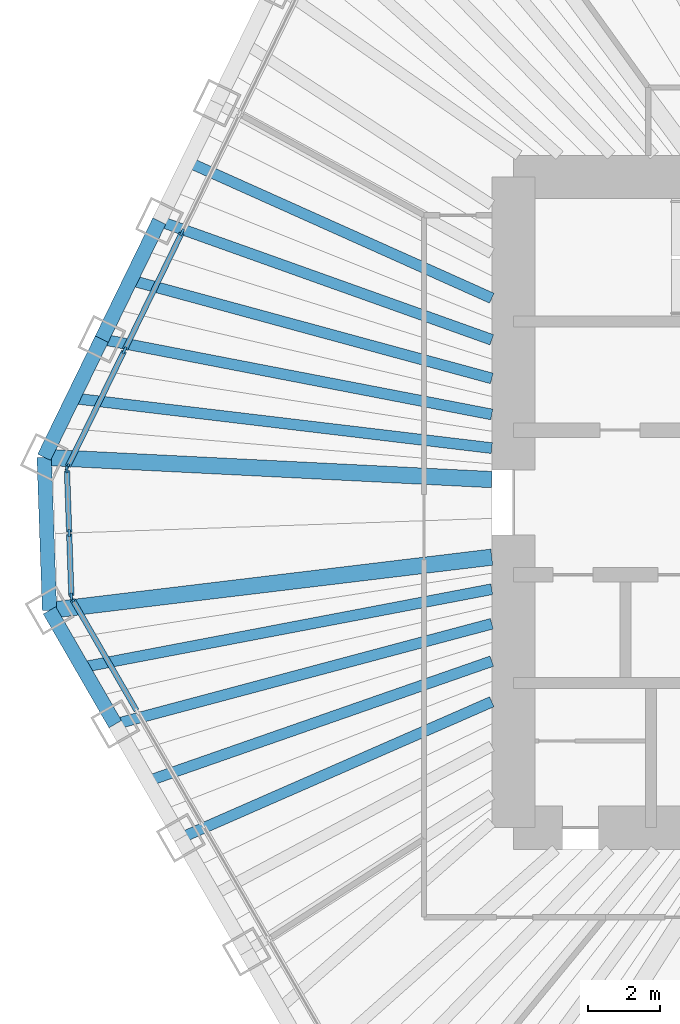
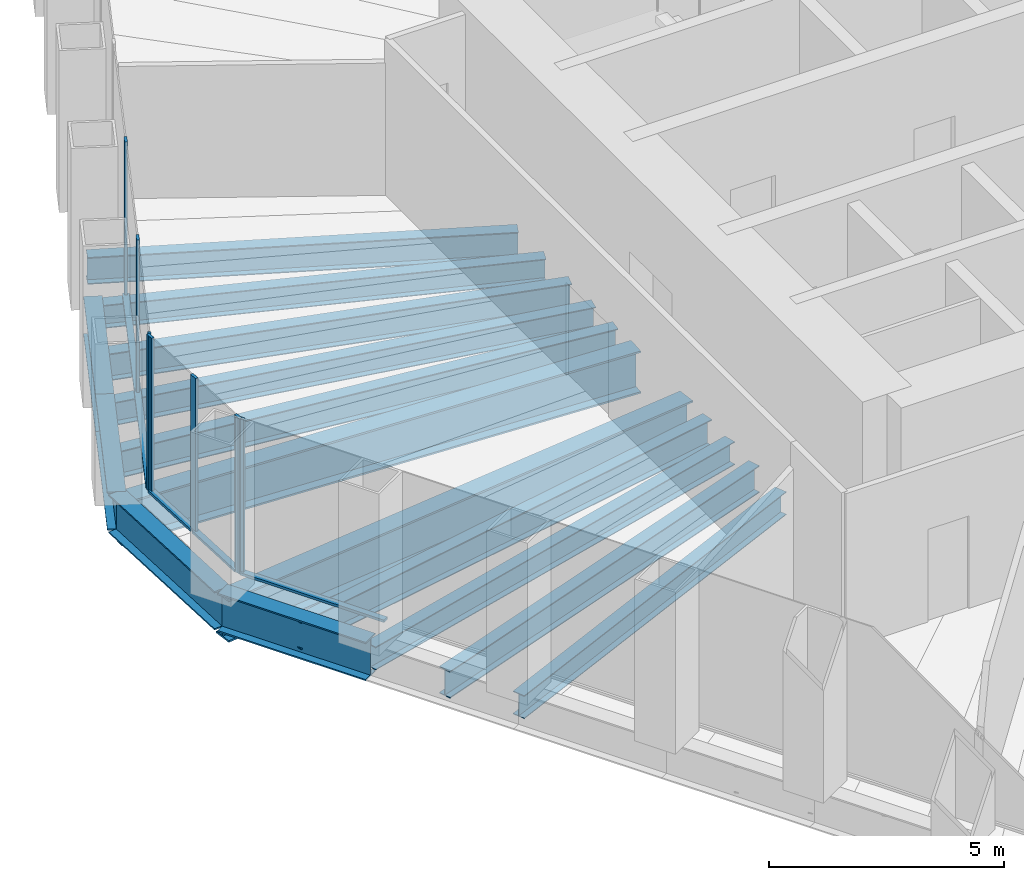
# One storey, part 3 of 13: 15 beams, 12 members, 3 elements without a shape of their own.
"""IFC4 building model written with IfcOpenShell, lengths in metres."""

from ifc_helpers import new_model, si_unit, direction, frame, origin, origin_2d, place, context, subcontext, project, spatial, rectangle, i_section, extrude, material, material_profile, profile_set, type_object, element, aggregate, save


model = new_model("IFC4")

# Units and contexts
model_context = context("Model", 3, precision=1e-05, world=origin(), true_north=direction((0.0, 1.0)))
body_context = subcontext(model_context, "Body", "Model", "MODEL_VIEW")
ifc_project = project(units=[si_unit("LENGTHUNIT", "METRE"), si_unit("AREAUNIT", "SQUARE_METRE"), si_unit("VOLUMEUNIT", "CUBIC_METRE"), si_unit("PLANEANGLEUNIT", "RADIAN"), si_unit("MASSUNIT", "GRAM", prefix="KILO")], contexts=[model_context])

# Site, building, storey
site_placement = place(None, origin())
site = spatial("IfcSite", under=ifc_project, at=site_placement, CompositionType="ELEMENT")
building_placement = place(site_placement, origin())
building = spatial("IfcBuilding", under=site, at=building_placement, Name="Qingtian Harvest Tower", CompositionType="ELEMENT")
storey_placement = place(building_placement, frame((0.0, 0.0, 222.39990234375)))
storey = spatial("IfcBuildingStorey", under=building, at=storey_placement, Name="L48", CompositionType="ELEMENT", Elevation=222.39990234375)

# Beams
ifc_material_1 = material(Name="Steel SM570MC", Category="steel")
ifc_material_profile_1 = material_profile(ifc_material_1, i_section(OverallWidth=0.449951171875, OverallDepth=1.10009765625, WebThickness=0.02197265625, FlangeThickness=0.044921875, at=origin_2d()), Name="H1100x450x22x45")
ifc_profile_set_1 = profile_set([ifc_material_profile_1], Name="Steel SM570MC")
beam_type_1 = type_object("IfcBeamType", Name="Corner floor beam FB8 H1100x450x22x45", PredefinedType="BEAM", material=ifc_profile_set_1)
beam_1_placement = place(storey_placement, frame((-24.833251953125, -2.987548828125, -0.719970703125), z_axis=(0.992841259631, 0.119441337798, 0.0), x_axis=(-0.119441337798, 0.992841259631, 0.0)))
element("IfcBeam", 1, at=beam_1_placement, inside=storey, type_object=beam_type_1, Name="Floor beam FB8 SW6", PredefinedType="BEAM", context=body_context, shape_type="SweptSolid", body=[
    extrude(i_section(OverallWidth=0.449951171875, OverallDepth=1.10009765625, WebThickness=0.02197265625, FlangeThickness=0.044921875, at=origin_2d()), origin(), (0.0, 0.0, 1.0), 12.3212890625),
])
beam_2_placement = place(storey_placement, frame((-24.981201171875, 1.248046875, -0.719970703125), z_axis=(0.998753959075, -0.049905202459, 0.0), x_axis=(0.049905202459, 0.998753959075, 0.0)))
element("IfcBeam", 2, at=beam_2_placement, inside=storey, type_object=beam_type_1, Name="Floor beam FB8 NW0", PredefinedType="BEAM", context=body_context, shape_type="SweptSolid", body=[
    extrude(i_section(OverallWidth=0.449951171875, OverallDepth=1.10009765625, WebThickness=0.02197265625, FlangeThickness=0.044921875, at=origin_2d()), origin(), (0.0, 0.0, 1.0), 12.396484375),
])
ifc_material_2 = material(Name="Steel SN490B", Category="steel")
ifc_material_profile_2 = material_profile(ifc_material_2, i_section(OverallWidth=0.300048828125, OverallDepth=0.60009765625, WebThickness=0.011962890625, FlangeThickness=0.02001953125, at=origin_2d()), Name="H600x300x12x20")
ifc_profile_set_2 = profile_set([ifc_material_profile_2], Name="Steel SN490B")
beam_type_2 = type_object("IfcBeamType", Name="Floor beam FB3 H600x300x12x20", PredefinedType="BEAM", material=ifc_profile_set_2)
beam_3_placement = place(storey_placement, frame((-21.19970703125, -9.281005859375, -0.469970703125), z_axis=(0.916057031544, 0.401048020765, 0.0), x_axis=(-0.401048020765, 0.916057031544, 0.0)))
element("IfcBeam", 3, at=beam_3_placement, inside=storey, type_object=beam_type_2, Name="Floor beam FB3 SW4", PredefinedType="BEAM", context=body_context, shape_type="SweptSolid", body=[
    extrude(i_section(OverallWidth=0.300048828125, OverallDepth=0.60009765625, WebThickness=0.011962890625, FlangeThickness=0.02001953125, at=origin_2d()), origin(), (0.0, 0.0, 1.0), 9.3876953125),
])
beam_4_placement = place(storey_placement, frame((-23.016357421875, -6.13427734375, -0.469970703125), z_axis=(0.966270640629, 0.257528734433, 0.0), x_axis=(-0.257528734433, 0.966270640629, 0.0)))
element("IfcBeam", 4, at=beam_4_placement, inside=storey, type_object=beam_type_2, Name="Floor beam FB3 SW5", PredefinedType="BEAM", context=body_context, shape_type="SweptSolid", body=[
    extrude(i_section(OverallWidth=0.300048828125, OverallDepth=0.60009765625, WebThickness=0.011962890625, FlangeThickness=0.02001953125, at=origin_2d()), origin(), (0.0, 0.0, 1.0), 10.77978515625),
])
beam_5_placement = place(storey_placement, frame((-23.388427734375, 4.513916015625, -0.469970703125), z_axis=(0.981878004162, -0.189514075845, 0.0), x_axis=(0.189514075845, 0.981878004162, 0.0)))
element("IfcBeam", 5, at=beam_5_placement, inside=storey, type_object=beam_type_2, Name="Floor beam FB3 NW1", PredefinedType="BEAM", context=body_context, shape_type="SweptSolid", body=[
    extrude(i_section(OverallWidth=0.300048828125, OverallDepth=0.60009765625, WebThickness=0.011962890625, FlangeThickness=0.02001953125, at=origin_2d()), origin(), (0.0, 0.0, 1.0), 10.987548828125),
])
beam_6_placement = place(storey_placement, frame((-21.79541015625, 7.779541015625, -0.469970703125), z_axis=(0.941800733255, -0.336171650857, 0.0), x_axis=(0.336171650857, 0.941800733255, 0.0)))
element("IfcBeam", 6, at=beam_6_placement, inside=storey, type_object=beam_type_2, Name="Floor beam FB3 NW2", PredefinedType="BEAM", context=body_context, shape_type="SweptSolid", body=[
    extrude(i_section(OverallWidth=0.300048828125, OverallDepth=0.60009765625, WebThickness=0.011962890625, FlangeThickness=0.02001953125, at=origin_2d()), origin(), (0.0, 0.0, 1.0), 9.763427734375),
])
ifc_material_3 = material(Name="Steel SN490B", Category="steel")
ifc_material_profile_3 = material_profile(ifc_material_3, i_section(OverallWidth=0.300048828125, OverallDepth=0.699951171875, WebThickness=0.012939453125, FlangeThickness=0.02392578125, at=origin_2d()), Name="H700x300x13x24")
ifc_profile_set_3 = profile_set([ifc_material_profile_3], Name="Steel SN490B")
beam_type_3 = type_object("IfcBeamType", Name="Floor joist J2 H700x300x13x24", PredefinedType="JOIST", material=ifc_profile_set_3)
beam_7_placement = place(storey_placement, frame((-22.108154296875, -7.707763671875, -0.52001953125), z_axis=(0.944256456951, 0.329210788868, 0.0), x_axis=(-0.329210788868, 0.944256456951, 0.0)))
element("IfcBeam", 7, at=beam_7_placement, inside=storey, type_object=beam_type_3, Name="Floor joist J2 SW4", PredefinedType="JOIST", context=body_context, shape_type="SweptSolid", body=[
    extrude(i_section(OverallWidth=0.300048828125, OverallDepth=0.699951171875, WebThickness=0.012939453125, FlangeThickness=0.02392578125, at=origin_2d()), origin(), (0.0, 0.0, 1.0), 10.0693359375),
])
beam_8_placement = place(storey_placement, frame((-23.9248046875, -4.56103515625, -0.52001953125), z_axis=(0.982309082743, 0.187266830912, 0.0), x_axis=(-0.187266830912, 0.982309082743, 0.0)))
element("IfcBeam", 8, at=beam_8_placement, inside=storey, type_object=beam_type_3, Name="Floor joist J2 SW5", PredefinedType="JOIST", context=body_context, shape_type="SweptSolid", body=[
    extrude(i_section(OverallWidth=0.300048828125, OverallDepth=0.699951171875, WebThickness=0.012939453125, FlangeThickness=0.02392578125, at=origin_2d()), origin(), (0.0, 0.0, 1.0), 11.528564453125),
])
beam_9_placement = place(storey_placement, frame((-24.184814453125, 2.880859375, -0.52001953125), z_axis=(0.992980727423, -0.11827626544, 0.0), x_axis=(0.11827626544, 0.992980727423, 0.0)))
element("IfcBeam", 9, at=beam_9_placement, inside=storey, type_object=beam_type_3, Name="Floor joist J2 NW0", PredefinedType="JOIST", context=body_context, shape_type="SweptSolid", body=[
    extrude(i_section(OverallWidth=0.300048828125, OverallDepth=0.699951171875, WebThickness=0.012939453125, FlangeThickness=0.02392578125, at=origin_2d()), origin(), (0.0, 0.0, 1.0), 11.66650390625),
])
beam_10_placement = place(storey_placement, frame((-22.591796875, 6.146728515625, -0.52001953125), z_axis=(0.964923062728, -0.26253282274, 0.0), x_axis=(0.26253282274, 0.964923062728, 0.0)))
element("IfcBeam", 10, at=beam_10_placement, inside=storey, type_object=beam_type_3, Name="Floor joist J2 NW1", PredefinedType="JOIST", context=body_context, shape_type="SweptSolid", body=[
    extrude(i_section(OverallWidth=0.300048828125, OverallDepth=0.699951171875, WebThickness=0.012939453125, FlangeThickness=0.02392578125, at=origin_2d()), origin(), (0.0, 0.0, 1.0), 10.35498046875),
])
beam_11_placement = place(storey_placement, frame((-20.9990234375, 9.41259765625, -0.52001953125), z_axis=(0.912515128421, -0.409042956671, 0.0), x_axis=(0.409042956671, 0.912515128421, 0.0)))
element("IfcBeam", 11, at=beam_11_placement, inside=storey, type_object=beam_type_3, Name="Floor joist J2 NW2", PredefinedType="JOIST", context=body_context, shape_type="SweptSolid", body=[
    extrude(i_section(OverallWidth=0.300048828125, OverallDepth=0.699951171875, WebThickness=0.012939453125, FlangeThickness=0.02392578125, at=origin_2d()), origin(), (0.0, 0.0, 1.0), 9.2041015625),
])

# Curtain wall, member
ifc_material_4 = material(Name="Bronze-anodised aluminium curtain wall", Category="aluminium")
curtain_wall_type = type_object("IfcCurtainWallType", Name="Curtain wall CW4 office", PredefinedType="USERDEFINED", material=ifc_material_4)
curtain_wall_1_placement = place(storey_placement, origin())
curtain_wall_1 = element("IfcCurtainWall", 12, at=curtain_wall_1_placement, inside=storey, type_object=curtain_wall_type, Name="Curtain wall CW4 L48 SW0-5", ObjectType="RECESSED CURTAIN WALL", PredefinedType="USERDEFINED")
ifc_material_5 = material(Name="Bronze-anodised aluminium mullion", Category="aluminium")
ifc_material_profile_4 = material_profile(ifc_material_5, rectangle(XDim=0.06494140625, YDim=0.199951171875, at=origin_2d()), Name="AL 65x200")
ifc_profile_set_4 = profile_set([ifc_material_profile_4], Name="Bronze-anodised aluminium mullion")
member_type_1 = type_object("IfcMemberType", Name="Mullion CWM 65x200", PredefinedType="MULLION", material=ifc_profile_set_4)
member_1_placement = place(storey_placement, frame((-24.210693359375, -2.665771484375, 0.0), z_axis=(0.0, 0.0, 1.0), x_axis=(-0.866025403784, -0.5, 0.0)))
member_1 = element("IfcMember", 13, at=member_1_placement, type_object=member_type_1, Name="CW4 mullion 7", PredefinedType="MULLION", context=body_context, shape_type="SweptSolid", body=[
    extrude(rectangle(XDim=0.06494140625, YDim=0.199951171875, at=origin_2d()), origin(), (0.0, 0.0, 1.0), 4.030029296875),
])

# Curtain wall, members
curtain_wall_2_placement = place(storey_placement, origin())
curtain_wall_2 = element("IfcCurtainWall", 14, at=curtain_wall_2_placement, inside=storey, type_object=curtain_wall_type, Name="Curtain wall CW4 L48 SWC", ObjectType="RECESSED CURTAIN WALL", PredefinedType="USERDEFINED")
member_2_placement = place(storey_placement, frame((-24.228271484375, -2.60498046875, 0.0), z_axis=(0.0, 0.0, 1.0), x_axis=(-0.999390827019, -0.034899496703, 0.0)))
member_2 = element("IfcMember", 15, at=member_2_placement, type_object=member_type_1, Name="CW4 mullion 1", PredefinedType="MULLION", context=body_context, shape_type="SweptSolid", body=[
    extrude(rectangle(XDim=0.06494140625, YDim=0.199951171875, at=origin_2d()), origin(), (0.0, 0.0, 1.0), 4.030029296875),
])
member_3_placement = place(storey_placement, frame((-24.28955078125, -0.84814453125, 0.0), z_axis=(0.0, 0.0, 1.0), x_axis=(-0.999390827019, -0.034899496703, 0.0)))
member_3 = element("IfcMember", 16, at=member_3_placement, type_object=member_type_1, Name="CW4 mullion 2", PredefinedType="MULLION", context=body_context, shape_type="SweptSolid", body=[
    extrude(rectangle(XDim=0.06494140625, YDim=0.199951171875, at=origin_2d()), origin(), (0.0, 0.0, 1.0), 4.030029296875),
])
member_4_placement = place(storey_placement, frame((-24.350830078125, 0.90869140625, 0.0), z_axis=(0.0, 0.0, 1.0), x_axis=(-0.999390827019, -0.034899496703, 0.0)))
member_4 = element("IfcMember", 17, at=member_4_placement, type_object=member_type_1, Name="CW4 mullion 3", PredefinedType="MULLION", context=body_context, shape_type="SweptSolid", body=[
    extrude(rectangle(XDim=0.06494140625, YDim=0.199951171875, at=origin_2d()), origin(), (0.0, 0.0, 1.0), 4.030029296875),
])

curtain_wall_3_placement = place(storey_placement, origin())
curtain_wall_3 = element("IfcCurtainWall", 18, at=curtain_wall_3_placement, inside=storey, type_object=curtain_wall_type, Name="Curtain wall CW4 L48 NW0-5", ObjectType="RECESSED CURTAIN WALL", PredefinedType="USERDEFINED")
member_5_placement = place(storey_placement, frame((-24.337646484375, 0.970458984375, 0.0), z_axis=(0.0, 0.0, 1.0), x_axis=(-0.898794046299, 0.438371146789, 0.0)))
member_5 = element("IfcMember", 19, at=member_5_placement, type_object=member_type_1, Name="CW4 mullion 1", PredefinedType="MULLION", context=body_context, shape_type="SweptSolid", body=[
    extrude(rectangle(XDim=0.06494140625, YDim=0.199951171875, at=origin_2d()), origin(), (0.0, 0.0, 1.0), 4.030029296875),
])
member_6_placement = place(storey_placement, frame((-22.759033203125, 4.20703125, 0.0), z_axis=(0.0, 0.0, 1.0), x_axis=(-0.898794046299, 0.438371146789, 0.0)))
member_6 = element("IfcMember", 20, at=member_6_placement, type_object=member_type_1, Name="CW4 mullion 2", PredefinedType="MULLION", context=body_context, shape_type="SweptSolid", body=[
    extrude(rectangle(XDim=0.06494140625, YDim=0.199951171875, at=origin_2d()), origin(), (0.0, 0.0, 1.0), 4.030029296875),
])
member_7_placement = place(storey_placement, frame((-21.166259765625, 7.47265625, 0.0), z_axis=(0.0, 0.0, 1.0), x_axis=(-0.898794046299, 0.438371146789, 0.0)))
member_7 = element("IfcMember", 21, at=member_7_placement, type_object=member_type_1, Name="CW4 mullion 3", PredefinedType="MULLION", context=body_context, shape_type="SweptSolid", body=[
    extrude(rectangle(XDim=0.06494140625, YDim=0.199951171875, at=origin_2d()), origin(), (0.0, 0.0, 1.0), 4.030029296875),
])

# Beams
ifc_material_6 = material(Name="Steel SN490B", Category="steel")
ifc_material_profile_5 = material_profile(ifc_material_6, i_section(OverallWidth=0.39990234375, OverallDepth=1.0, WebThickness=0.01904296875, FlangeThickness=0.035888671875, at=origin_2d()), Name="H1000x400x19x36")
ifc_profile_set_5 = profile_set([ifc_material_profile_5], Name="Steel SN490B")
beam_type_4 = type_object("IfcBeamType", Name="Spandrel beam SB3 H1000x400x19x36", PredefinedType="SPANDREL", material=ifc_profile_set_5)
beam_12_placement = place(storey_placement, frame((-23.016357421875, -6.13427734375, -0.5), z_axis=(-0.500026827678, 0.866009914263, 0.0), x_axis=(-0.866009914263, -0.500026827678, 0.0)))
element("IfcBeam", 22, at=beam_12_placement, inside=storey, type_object=beam_type_4, Name="Spandrel SB3 SW5", PredefinedType="SPANDREL", context=body_context, shape_type="SweptSolid", body=[
    extrude(i_section(OverallWidth=0.39990234375, OverallDepth=1.0, WebThickness=0.01904296875, FlangeThickness=0.035888671875, at=origin_2d()), origin(), (0.0, 0.0, 1.0), 3.633544921875),
])
beam_13_placement = place(storey_placement, frame((-24.833251953125, -2.987548828125, -0.5), z_axis=(-0.034908677553, 0.999390506375, 0.0), x_axis=(-0.999390506375, -0.034908677553, 0.0)))
element("IfcBeam", 23, at=beam_13_placement, inside=storey, type_object=beam_type_4, Name="Spandrel SB3 SWC", PredefinedType="SPANDREL", context=body_context, shape_type="SweptSolid", body=[
    extrude(i_section(OverallWidth=0.39990234375, OverallDepth=1.0, WebThickness=0.01904296875, FlangeThickness=0.035888671875, at=origin_2d()), origin(), (0.0, 0.0, 1.0), 4.23828125),
])
for number, where, z_axis, x_axis, name in (
    (24, (-24.981201171875, 1.248046875, -0.5), (0.438349498419, 0.898804604592, 0.0), (-0.898804604592, 0.438349498419, 0.0), "Spandrel SB3 NW0"),
    (25, (-23.388427734375, 4.513916015625, -0.5), (0.438430251153, 0.898765216769, 0.0), (-0.898765216769, 0.438430251153, 0.0), "Spandrel SB3 NW1"),
):
    element("IfcBeam", number, at=place(storey_placement, frame(where, z_axis=z_axis, x_axis=x_axis)), inside=storey, type_object=beam_type_4, Name=name, PredefinedType="SPANDREL", context=body_context, shape_type="SweptSolid", body=[
        extrude(i_section(OverallWidth=0.39990234375, OverallDepth=1.0, WebThickness=0.01904296875, FlangeThickness=0.035888671875, at=origin_2d()), origin(), (0.0, 0.0, 1.0), 3.633544921875),
    ])

# Member
ifc_material_7 = material(Name="Bronze-anodised aluminium transom", Category="aluminium")
ifc_material_profile_6 = material_profile(ifc_material_7, rectangle(XDim=0.14990234375, YDim=0.06494140625, at=origin_2d()), Name="AL 65x150")
ifc_profile_set_6 = profile_set([ifc_material_profile_6], Name="Bronze-anodised aluminium transom")
member_type_2 = type_object("IfcMemberType", Name="Transom CWT 65x150", PredefinedType="USERDEFINED", material=ifc_profile_set_6)
member_8_placement = place(storey_placement, frame((-22.426513671875, -5.756103515625, 0.03271484375), z_axis=(-0.500015305566, 0.866016566931, 0.0), x_axis=(-0.866016566931, -0.500015305566, 0.0)))
member_8 = element("IfcMember", 26, at=member_8_placement, type_object=member_type_2, Name="CW4 transom 6.1", ObjectType="TRANSOM", PredefinedType="USERDEFINED", context=body_context, shape_type="SweptSolid", body=[
    extrude(rectangle(XDim=0.14990234375, YDim=0.06494140625, at=origin_2d()), origin(), (0.0, 0.0, 1.0), 3.5361328125),
])

aggregate(curtain_wall_1, [member_1, member_8])

member_9_placement = place(storey_placement, frame((-24.229248046875, -2.572509765625, 0.03271484375), z_axis=(-0.034899362377, 0.99939083171, 0.0), x_axis=(-0.99939083171, -0.034899362377, 0.0)))
member_9 = element("IfcMember", 27, at=member_9_placement, type_object=member_type_2, Name="CW4 transom 1.1", ObjectType="TRANSOM", PredefinedType="USERDEFINED", context=body_context, shape_type="SweptSolid", body=[
    extrude(rectangle(XDim=0.14990234375, YDim=0.06494140625, at=origin_2d()), origin(), (0.0, 0.0, 1.0), 1.69287109375),
])

member_10_placement = place(storey_placement, frame((-24.29052734375, -0.815673828125, 0.03271484375), z_axis=(-0.034899362377, 0.99939083171, 0.0), x_axis=(-0.99939083171, -0.034899362377, 0.0)))
member_10 = element("IfcMember", 28, at=member_10_placement, type_object=member_type_2, Name="CW4 transom 2.1", ObjectType="TRANSOM", PredefinedType="USERDEFINED", context=body_context, shape_type="SweptSolid", body=[
    extrude(rectangle(XDim=0.14990234375, YDim=0.06494140625, at=origin_2d()), origin(), (0.0, 0.0, 1.0), 1.69287109375),
])

aggregate(curtain_wall_2, [member_2, member_3, member_4, member_9, member_10])

member_11_placement = place(storey_placement, frame((-24.323486328125, 0.99951171875, 0.03271484375), z_axis=(0.438354255898, 0.898802284341, 0.0), x_axis=(-0.898802284341, 0.438354255898, 0.0)))
member_11 = element("IfcMember", 29, at=member_11_placement, type_object=member_type_2, Name="CW4 transom 1.1", ObjectType="TRANSOM", PredefinedType="USERDEFINED", context=body_context, shape_type="SweptSolid", body=[
    extrude(rectangle(XDim=0.14990234375, YDim=0.06494140625, at=origin_2d()), origin(), (0.0, 0.0, 1.0), 3.5361328125),
])

member_12_placement = place(storey_placement, frame((-22.744873046875, 4.236083984375, 0.03271484375), z_axis=(0.438325233634, 0.89881643819, 0.0), x_axis=(-0.89881643819, 0.438325233634, 0.0)))
member_12 = element("IfcMember", 30, at=member_12_placement, type_object=member_type_2, Name="CW4 transom 2.1", ObjectType="TRANSOM", PredefinedType="USERDEFINED", context=body_context, shape_type="SweptSolid", body=[
    extrude(rectangle(XDim=0.14990234375, YDim=0.06494140625, at=origin_2d()), origin(), (0.0, 0.0, 1.0), 3.568603515625),
])

aggregate(curtain_wall_3, [member_5, member_6, member_7, member_11, member_12])

save(model, "model.ifc")
